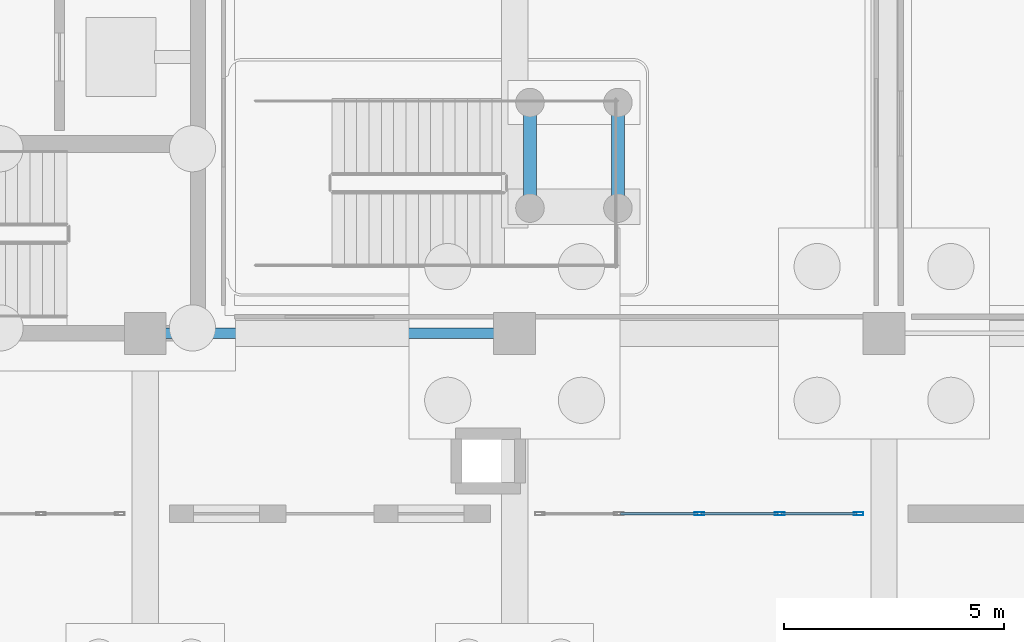
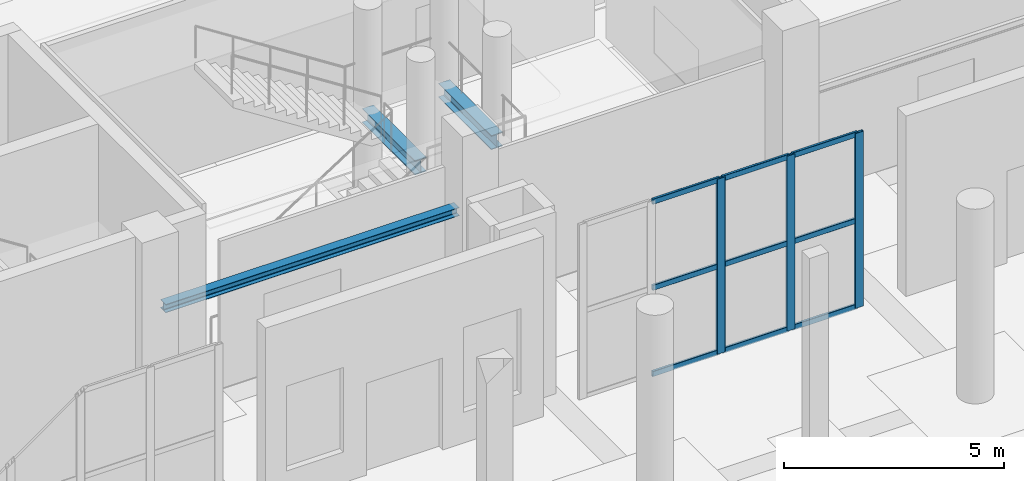
# One storey, part 11 of 65: 12 members, 3 beams, 1 element without a shape of its own.
"""IFC4 building model written with IfcOpenShell, lengths in metres."""

from ifc_helpers import new_model, si_unit, direction, frame, origin, origin_2d, place, context, subcontext, project, spatial, hollow_rectangle, i_section, extrude, material, layer, layer_set, material_profile, profile_set, type_object, element, aggregate, save


model = new_model("IFC4")

# Units and contexts
model_context = context("Model", 3, precision=1e-05, world=origin(), true_north=direction((0.0, 1.0)))
body_context = subcontext(model_context, "Body", "Model", "MODEL_VIEW")
ifc_project = project(units=[si_unit("LENGTHUNIT", "METRE"), si_unit("AREAUNIT", "SQUARE_METRE"), si_unit("VOLUMEUNIT", "CUBIC_METRE"), si_unit("PLANEANGLEUNIT", "RADIAN"), si_unit("MASSUNIT", "GRAM", prefix="KILO")], contexts=[model_context])

# Site, building, storey
site_placement = place(None, origin())
site = spatial("IfcSite", under=ifc_project, at=site_placement, CompositionType="ELEMENT")
building_placement = place(site_placement, origin())
building = spatial("IfcBuilding", under=site, at=building_placement, Name="Zulmaris Art Gallery", CompositionType="ELEMENT")
storey_placement = place(building_placement, origin())
storey = spatial("IfcBuildingStorey", under=building, at=storey_placement, Name="L00", CompositionType="ELEMENT", Elevation=0.0)

# Beams
ifc_material_1 = material(Name="Steel S355J2", Category="steel")
ifc_material_profile_1 = material_profile(ifc_material_1, i_section(OverallWidth=0.300048828125, OverallDepth=0.389892578125, WebThickness=0.010986328125, FlangeThickness=0.01904296875, FilletRadius=0.027099609375, at=origin_2d()), Name="HEA 400")
ifc_profile_set_1 = profile_set([ifc_material_profile_1], Name="Steel S355J2")
beam_type_1 = type_object("IfcBeamType", Name="BEAM-BM09", PredefinedType="BEAM", material=ifc_profile_set_1)
for number, where, z_axis, x_axis, name in (
    (1, (49.550048828125, 24.449951171875, 2.294921875), (0.0, 1.0, 0.0), (-1.0, 0.0, 0.0), "ST6 L00 landing bearer 1"),
    (2, (51.550048828125, 24.449951171875, 2.294921875), (0.0, 1.0, 0.0), (-1.0, 0.0, 0.0), "ST6 L00 landing bearer 2"),
):
    element("IfcBeam", number, at=place(storey_placement, frame(where, z_axis=z_axis, x_axis=x_axis)), inside=storey, type_object=beam_type_1, Name=name, PredefinedType="BEAM", context=body_context, shape_type="SweptSolid", body=[
        extrude(i_section(OverallWidth=0.300048828125, OverallDepth=0.389892578125, WebThickness=0.010986328125, FlangeThickness=0.01904296875, FilletRadius=0.027099609375, at=origin_2d()), origin(), (0.0, 0.0, 1.0), 2.400146484375),
    ])
ifc_material_profile_2 = material_profile(ifc_material_1, i_section(OverallWidth=0.239990234375, OverallDepth=0.22998046875, WebThickness=0.007568359375, FlangeThickness=0.011962890625, FilletRadius=0.02099609375, at=origin_2d()), Name="HEA 240")
ifc_profile_set_2 = profile_set([ifc_material_profile_2], Name="Steel S355J2")
beam_type_2 = type_object("IfcBeamType", Name="BEAM-LN02", PredefinedType="LINTEL", material=ifc_profile_set_2)
beam_placement = place(storey_placement, frame((41.14990234375, 21.60009765625, 3.080078125), z_axis=(1.0, 0.0, 0.0), x_axis=(0.0, 1.0, 0.0)))
element("IfcBeam", 3, at=beam_placement, inside=storey, type_object=beam_type_2, Name="L00 portal lintel 3", PredefinedType="LINTEL", context=body_context, shape_type="SweptSolid", body=[
    extrude(i_section(OverallWidth=0.239990234375, OverallDepth=0.22998046875, WebThickness=0.007568359375, FlangeThickness=0.011962890625, FilletRadius=0.02099609375, at=origin_2d()), origin(), (0.0, 0.0, 1.0), 7.7001953125),
])

# Curtain wall, members
ifc_material_2 = material(Name="Cloister & Court Glazed Curtain Wall", Category="aluminium")
ifc_layer = layer(ifc_material_2, 0.179931640625)
ifc_layer_set = layer_set([ifc_layer], Name="Cloister & Court Glazed Curtain Wall")
curtain_wall_type = type_object("IfcCurtainWallType", Name="CW-CW03", PredefinedType="NOTDEFINED", material=ifc_layer_set)
curtain_wall_placement = place(storey_placement, origin())
curtain_wall = element("IfcCurtainWall", 4, at=curtain_wall_placement, inside=storey, type_object=curtain_wall_type, Name="L00 curtain wall 53", PredefinedType="NOTDEFINED")
ifc_material_3 = material(Name="Anodised Bronze Aluminium", Category="aluminium")
ifc_material_profile_3 = material_profile(ifc_material_3, hollow_rectangle(XDim=0.074951171875, YDim=0.219970703125, WallThickness=0.0048828125, InnerFilletRadius=0.007568359375, OuterFilletRadius=0.012451171875, at=origin_2d()), Name="ALU 75x220x5")
ifc_profile_set_3 = profile_set([ifc_material_profile_3], Name="Anodised Bronze Aluminium")
member_type_1 = type_object("IfcMemberType", Name="CWMUL-02", PredefinedType="MULLION", material=ifc_profile_set_3)
member_1_placement = place(storey_placement, frame((53.39990234375, 17.5, 0.0), z_axis=(0.0, 0.0, 1.0), x_axis=(0.0, 1.0, 0.0)))
member_1 = element("IfcMember", 5, at=member_1_placement, type_object=member_type_1, Name="CW03 mullion 3", PredefinedType="MULLION", context=body_context, shape_type="SweptSolid", body=[
    extrude(hollow_rectangle(XDim=0.074951171875, YDim=0.219970703125, WallThickness=0.0048828125, InnerFilletRadius=0.007568359375, OuterFilletRadius=0.012451171875, at=origin_2d()), origin(), (0.0, 0.0, 1.0), 4.85009765625),
])
member_2_placement = place(storey_placement, frame((55.22998046875, 17.5, 0.0), z_axis=(0.0, 0.0, 1.0), x_axis=(0.0, 1.0, 0.0)))
member_2 = element("IfcMember", 6, at=member_2_placement, type_object=member_type_1, Name="CW03 mullion 4", PredefinedType="MULLION", context=body_context, shape_type="SweptSolid", body=[
    extrude(hollow_rectangle(XDim=0.074951171875, YDim=0.219970703125, WallThickness=0.0048828125, InnerFilletRadius=0.007568359375, OuterFilletRadius=0.012451171875, at=origin_2d()), origin(), (0.0, 0.0, 1.0), 4.85009765625),
])
member_3_placement = place(storey_placement, frame((57.0224609375, 17.5, 0.0), z_axis=(0.0, 0.0, 1.0), x_axis=(0.0, 1.0, 0.0)))
member_3 = element("IfcMember", 7, at=member_3_placement, type_object=member_type_1, Name="CW03 mullion 5", PredefinedType="MULLION", context=body_context, shape_type="SweptSolid", body=[
    extrude(hollow_rectangle(XDim=0.074951171875, YDim=0.219970703125, WallThickness=0.0048828125, InnerFilletRadius=0.007568359375, OuterFilletRadius=0.012451171875, at=origin_2d()), origin(), (0.0, 0.0, 1.0), 4.85009765625),
])
ifc_material_profile_4 = material_profile(ifc_material_3, hollow_rectangle(XDim=0.06494140625, YDim=0.14990234375, WallThickness=0.00390625, InnerFilletRadius=0.006103515625, OuterFilletRadius=0.010009765625, at=origin_2d()), Name="ALU 65x150x4")
ifc_profile_set_4 = profile_set([ifc_material_profile_4], Name="Anodised Bronze Aluminium")
member_type_2 = type_object("IfcMemberType", Name="CWTRN-01", PredefinedType="USERDEFINED", material=ifc_profile_set_4)
member_4_placement = place(storey_placement, frame((51.607421875, 17.5, 0.03759765625), z_axis=(1.0, 0.0, 0.0), x_axis=(0.0, 1.0, 0.0)))
member_4 = element("IfcMember", 8, at=member_4_placement, type_object=member_type_2, Name="CW03 transom 2.1", ObjectType="TRANSOM", PredefinedType="USERDEFINED", context=body_context, shape_type="SweptSolid", body=[
    extrude(hollow_rectangle(XDim=0.06494140625, YDim=0.14990234375, WallThickness=0.00390625, InnerFilletRadius=0.006103515625, OuterFilletRadius=0.010009765625, at=origin_2d()), origin(), (0.0, 0.0, 1.0), 1.755126953125),
])
member_5_placement = place(storey_placement, frame((51.607421875, 17.5, 2.425048828125), z_axis=(1.0, 0.0, 0.0), x_axis=(0.0, 1.0, 0.0)))
member_5 = element("IfcMember", 9, at=member_5_placement, type_object=member_type_2, Name="CW03 transom 2.2", ObjectType="TRANSOM", PredefinedType="USERDEFINED", context=body_context, shape_type="SweptSolid", body=[
    extrude(hollow_rectangle(XDim=0.06494140625, YDim=0.14990234375, WallThickness=0.00390625, InnerFilletRadius=0.006103515625, OuterFilletRadius=0.010009765625, at=origin_2d()), origin(), (0.0, 0.0, 1.0), 1.755126953125),
])
member_6_placement = place(storey_placement, frame((51.607421875, 17.5, 4.8125), z_axis=(1.0, 0.0, 0.0), x_axis=(0.0, 1.0, 0.0)))
member_6 = element("IfcMember", 10, at=member_6_placement, type_object=member_type_2, Name="CW03 transom 2.3", ObjectType="TRANSOM", PredefinedType="USERDEFINED", context=body_context, shape_type="SweptSolid", body=[
    extrude(hollow_rectangle(XDim=0.06494140625, YDim=0.14990234375, WallThickness=0.00390625, InnerFilletRadius=0.006103515625, OuterFilletRadius=0.010009765625, at=origin_2d()), origin(), (0.0, 0.0, 1.0), 1.755126953125),
])
member_7_placement = place(storey_placement, frame((53.4375, 17.5, 0.03759765625), z_axis=(1.0, 0.0, 0.0), x_axis=(0.0, 1.0, 0.0)))
member_7 = element("IfcMember", 11, at=member_7_placement, type_object=member_type_2, Name="CW03 transom 3.1", ObjectType="TRANSOM", PredefinedType="USERDEFINED", context=body_context, shape_type="SweptSolid", body=[
    extrude(hollow_rectangle(XDim=0.06494140625, YDim=0.14990234375, WallThickness=0.00390625, InnerFilletRadius=0.006103515625, OuterFilletRadius=0.010009765625, at=origin_2d()), origin(), (0.0, 0.0, 1.0), 1.7548828125),
])
member_8_placement = place(storey_placement, frame((53.4375, 17.5, 2.425048828125), z_axis=(1.0, 0.0, 0.0), x_axis=(0.0, 1.0, 0.0)))
member_8 = element("IfcMember", 12, at=member_8_placement, type_object=member_type_2, Name="CW03 transom 3.2", ObjectType="TRANSOM", PredefinedType="USERDEFINED", context=body_context, shape_type="SweptSolid", body=[
    extrude(hollow_rectangle(XDim=0.06494140625, YDim=0.14990234375, WallThickness=0.00390625, InnerFilletRadius=0.006103515625, OuterFilletRadius=0.010009765625, at=origin_2d()), origin(), (0.0, 0.0, 1.0), 1.7548828125),
])
member_9_placement = place(storey_placement, frame((53.4375, 17.5, 4.8125), z_axis=(1.0, 0.0, 0.0), x_axis=(0.0, 1.0, 0.0)))
member_9 = element("IfcMember", 13, at=member_9_placement, type_object=member_type_2, Name="CW03 transom 3.3", ObjectType="TRANSOM", PredefinedType="USERDEFINED", context=body_context, shape_type="SweptSolid", body=[
    extrude(hollow_rectangle(XDim=0.06494140625, YDim=0.14990234375, WallThickness=0.00390625, InnerFilletRadius=0.006103515625, OuterFilletRadius=0.010009765625, at=origin_2d()), origin(), (0.0, 0.0, 1.0), 1.7548828125),
])
member_10_placement = place(storey_placement, frame((55.267578125, 17.5, 0.03759765625), z_axis=(1.0, 0.0, 0.0), x_axis=(0.0, 1.0, 0.0)))
member_10 = element("IfcMember", 14, at=member_10_placement, type_object=member_type_2, Name="CW03 transom 4.1", ObjectType="TRANSOM", PredefinedType="USERDEFINED", context=body_context, shape_type="SweptSolid", body=[
    extrude(hollow_rectangle(XDim=0.06494140625, YDim=0.14990234375, WallThickness=0.00390625, InnerFilletRadius=0.006103515625, OuterFilletRadius=0.010009765625, at=origin_2d()), origin(), (0.0, 0.0, 1.0), 1.717529296875),
])
member_11_placement = place(storey_placement, frame((55.267578125, 17.5, 2.425048828125), z_axis=(1.0, 0.0, 0.0), x_axis=(0.0, 1.0, 0.0)))
member_11 = element("IfcMember", 15, at=member_11_placement, type_object=member_type_2, Name="CW03 transom 4.2", ObjectType="TRANSOM", PredefinedType="USERDEFINED", context=body_context, shape_type="SweptSolid", body=[
    extrude(hollow_rectangle(XDim=0.06494140625, YDim=0.14990234375, WallThickness=0.00390625, InnerFilletRadius=0.006103515625, OuterFilletRadius=0.010009765625, at=origin_2d()), origin(), (0.0, 0.0, 1.0), 1.717529296875),
])
member_12_placement = place(storey_placement, frame((55.267578125, 17.5, 4.8125), z_axis=(1.0, 0.0, 0.0), x_axis=(0.0, 1.0, 0.0)))
member_12 = element("IfcMember", 16, at=member_12_placement, type_object=member_type_2, Name="CW03 transom 4.3", ObjectType="TRANSOM", PredefinedType="USERDEFINED", context=body_context, shape_type="SweptSolid", body=[
    extrude(hollow_rectangle(XDim=0.06494140625, YDim=0.14990234375, WallThickness=0.00390625, InnerFilletRadius=0.006103515625, OuterFilletRadius=0.010009765625, at=origin_2d()), origin(), (0.0, 0.0, 1.0), 1.717529296875),
])
aggregate(curtain_wall, [member_1, member_2, member_3, member_4, member_5, member_6, member_7, member_8, member_9, member_10, member_11, member_12])

save(model, "model.ifc")
